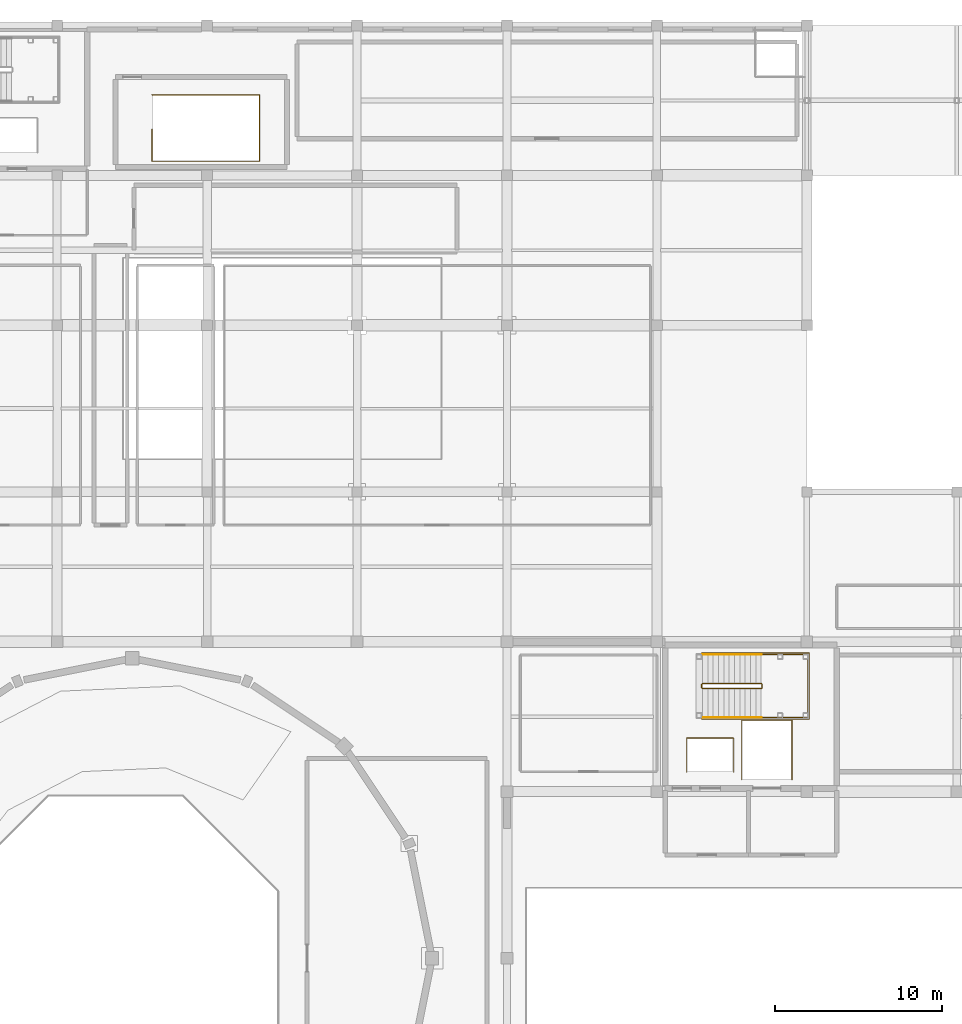
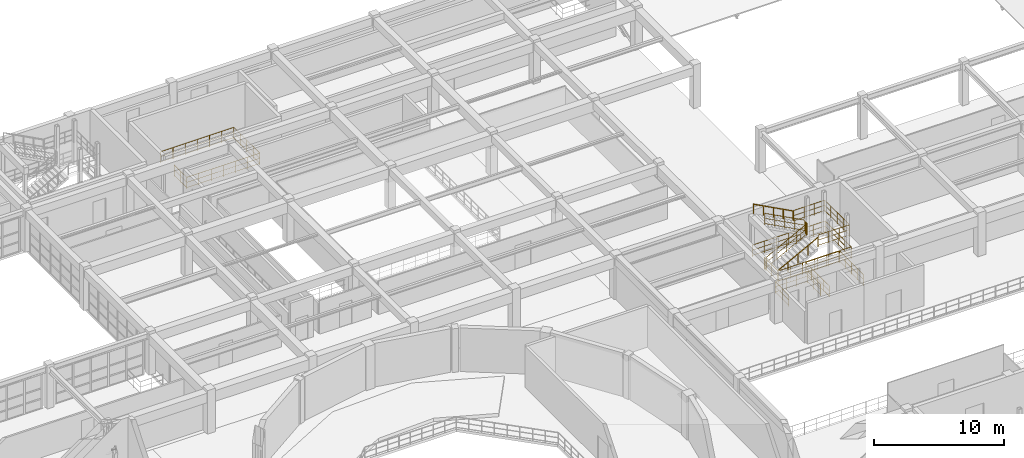
# One storey, part 109 of 110: 11 railings.
"""IFC4 building model written with IfcOpenShell, lengths in metres."""

from ifc_helpers import new_model, si_unit, direction, frame, origin, origin_2d, place, context, subcontext, project, spatial, circle, extrude, material, type_object, element, save


model = new_model("IFC4")

# Units and contexts
model_context = context("Model", 3, precision=1e-05, world=origin(), true_north=direction((0.0, 1.0)))
body_context = subcontext(model_context, "Body", "Model", "MODEL_VIEW")
ifc_project = project(units=[si_unit("LENGTHUNIT", "METRE"), si_unit("AREAUNIT", "SQUARE_METRE"), si_unit("VOLUMEUNIT", "CUBIC_METRE"), si_unit("PLANEANGLEUNIT", "RADIAN"), si_unit("MASSUNIT", "GRAM", prefix="KILO")], contexts=[model_context])

# Site, building, storey
site_placement = place(None, origin())
site = spatial("IfcSite", under=ifc_project, at=site_placement, CompositionType="ELEMENT")
building_placement = place(site_placement, origin())
building = spatial("IfcBuilding", under=site, at=building_placement, Name="Miravela Opera House", CompositionType="ELEMENT")
storey_placement = place(building_placement, frame((0.0, 0.0, 13.60009765625)))
storey = spatial("IfcBuildingStorey", under=building, at=storey_placement, Name="L03", CompositionType="ELEMENT", Elevation=13.60009765625)

# Railings
ifc_material_1 = material(Name="Brushed bronze continuous stair handrail")
railing_type_1 = type_object("IfcRailingType", Name="ARC-RAIL-HAND-900", PredefinedType="HANDRAIL", material=ifc_material_1)
railing_1_placement = place(storey_placement, frame((110.739990234375, 70.449951171875, 0.169921875)))
element("IfcRailing", 1, at=railing_1_placement, inside=storey, type_object=railing_type_1, Name="L03 ST-03 stair handrail 1", PredefinedType="HANDRAIL", context=body_context, shape_type="SweptSolid", body=[
    extrude(circle(Radius=0.02392578125, at=origin_2d()), frame((0.0, 0.0, 0.8759765625), z_axis=(0.883129994055, 0.0, 0.469128355144), x_axis=(0.0, 1.0, 0.0)), (0.0, 0.0, 1.0), 3.98583984375),
    extrude(circle(Radius=0.02099609375, at=origin_2d()), origin(), (0.0, 0.0, 1.0), 0.851806640625),
    extrude(circle(Radius=0.02099609375, at=origin_2d()), frame((0.8798828125, 0.0, 0.467529296875)), (0.0, 0.0, 1.0), 0.851806640625),
    extrude(circle(Radius=0.02099609375, at=origin_2d()), frame((1.760009765625, 0.0, 0.93505859375)), (0.0, 0.0, 1.0), 0.851806640625),
    extrude(circle(Radius=0.02099609375, at=origin_2d()), frame((2.64013671875, 0.0, 1.40234375)), (0.0, 0.0, 1.0), 0.851806640625),
    extrude(circle(Radius=0.02099609375, at=origin_2d()), frame((3.52001953125, 0.0, 1.869873046875)), (0.0, 0.0, 1.0), 0.851806640625),
])
railing_2_placement = place(storey_placement, frame((114.260009765625, 74.22998046875, 2.2099609375)))
element("IfcRailing", 2, at=railing_2_placement, inside=storey, type_object=railing_type_1, Name="L03 ST-03 stair handrail 2", PredefinedType="HANDRAIL", context=body_context, shape_type="SweptSolid", body=[
    extrude(circle(Radius=0.02392578125, at=origin_2d()), frame((0.0, 0.0, 0.8759765625), z_axis=(-0.883129994055, 0.0, 0.469128355144), x_axis=(0.0, -1.0, 0.0)), (0.0, 0.0, 1.0), 3.98583984375),
    extrude(circle(Radius=0.02099609375, at=origin_2d()), origin(), (0.0, 0.0, 1.0), 0.851806640625),
    extrude(circle(Radius=0.02099609375, at=origin_2d()), frame((-0.8798828125, 0.0, 0.467529296875)), (0.0, 0.0, 1.0), 0.851806640625),
    extrude(circle(Radius=0.02099609375, at=origin_2d()), frame((-1.760009765625, 0.0, 0.93505859375)), (0.0, 0.0, 1.0), 0.851806640625),
    extrude(circle(Radius=0.02099609375, at=origin_2d()), frame((-2.64013671875, 0.0, 1.40234375)), (0.0, 0.0, 1.0), 0.851806640625),
    extrude(circle(Radius=0.02099609375, at=origin_2d()), frame((-3.52001953125, 0.0, 1.869873046875)), (0.0, 0.0, 1.0), 0.851806640625),
])
ifc_material_2 = material(Name="Painted wrought-iron stair guardrail")
railing_type_2 = type_object("IfcRailingType", Name="ARC-RAIL-STAIR-GUARD", PredefinedType="GUARDRAIL", material=ifc_material_2)
railing_3_placement = place(storey_placement, frame((110.739990234375, 72.18994140625, 0.169921875)))
element("IfcRailing", 3, at=railing_3_placement, inside=storey, type_object=railing_type_2, Name="L03 ST-03 stair guard 1", PredefinedType="GUARDRAIL", context=body_context, shape_type="SweptSolid", body=[
    extrude(circle(Radius=0.02392578125, at=origin_2d()), frame((0.0, 0.0, 1.076171875), z_axis=(0.883129994055, 0.0, 0.469128355144), x_axis=(0.0, 1.0, 0.0)), (0.0, 0.0, 1.0), 3.98583984375),
    extrude(circle(Radius=0.01611328125, at=origin_2d()), frame((0.0, 0.0, 0.60498046875), z_axis=(0.883129994055, 0.0, 0.469128355144), x_axis=(0.0, 1.0, 0.0)), (0.0, 0.0, 1.0), 3.98583984375),
    extrude(circle(Radius=0.01611328125, at=origin_2d()), frame((0.0, 0.0, 0.1201171875), z_axis=(0.883129994055, 0.0, 0.469128355144), x_axis=(0.0, 1.0, 0.0)), (0.0, 0.0, 1.0), 3.98583984375),
    extrude(circle(Radius=0.02099609375, at=origin_2d()), origin(), (0.0, 0.0, 1.0), 1.052001953125),
    extrude(circle(Radius=0.02099609375, at=origin_2d()), frame((0.8798828125, 0.0, 0.467529296875)), (0.0, 0.0, 1.0), 1.052001953125),
    extrude(circle(Radius=0.02099609375, at=origin_2d()), frame((1.760009765625, 0.0, 0.93505859375)), (0.0, 0.0, 1.0), 1.052001953125),
    extrude(circle(Radius=0.02099609375, at=origin_2d()), frame((2.64013671875, 0.0, 1.40234375)), (0.0, 0.0, 1.0), 1.052001953125),
    extrude(circle(Radius=0.02099609375, at=origin_2d()), frame((3.52001953125, 0.0, 1.869873046875)), (0.0, 0.0, 1.0), 1.052001953125),
])
railing_4_placement = place(storey_placement, frame((114.31005859375, 72.239990234375, 2.039794921875)))
element("IfcRailing", 4, at=railing_4_placement, inside=storey, type_object=railing_type_2, Name="L03 ST-03 stair guard 2", PredefinedType="GUARDRAIL", context=body_context, shape_type="SweptSolid", body=[
    extrude(circle(Radius=0.02392578125, at=origin_2d()), frame((0.0, 0.0, 1.076171875), z_axis=(0.0, 1.0, 0.0), x_axis=(-1.0, 0.0, 0.0)), (0.0, 0.0, 1.0), 0.199951171875),
    extrude(circle(Radius=0.01611328125, at=origin_2d()), frame((0.0, 0.0, 0.60498046875), z_axis=(0.0, 1.0, 0.0), x_axis=(-1.0, 0.0, 0.0)), (0.0, 0.0, 1.0), 0.199951171875),
    extrude(circle(Radius=0.01611328125, at=origin_2d()), frame((0.0, 0.0, 0.1201171875), z_axis=(0.0, 1.0, 0.0), x_axis=(-1.0, 0.0, 0.0)), (0.0, 0.0, 1.0), 0.199951171875),
    extrude(circle(Radius=0.02099609375, at=origin_2d()), origin(), (0.0, 0.0, 1.0), 1.052001953125),
    extrude(circle(Radius=0.02099609375, at=origin_2d()), frame((0.0, 0.199951171875, 0.0)), (0.0, 0.0, 1.0), 1.052001953125),
])
railing_5_placement = place(storey_placement, frame((114.260009765625, 72.489990234375, 2.2099609375)))
element("IfcRailing", 5, at=railing_5_placement, inside=storey, type_object=railing_type_2, Name="L03 ST-03 stair guard 3", PredefinedType="GUARDRAIL", context=body_context, shape_type="SweptSolid", body=[
    extrude(circle(Radius=0.02392578125, at=origin_2d()), frame((0.0, 0.0, 1.076171875), z_axis=(-0.883129994055, 0.0, 0.469128355144), x_axis=(0.0, -1.0, 0.0)), (0.0, 0.0, 1.0), 3.98583984375),
    extrude(circle(Radius=0.01611328125, at=origin_2d()), frame((0.0, 0.0, 0.60498046875), z_axis=(-0.883129994055, 0.0, 0.469128355144), x_axis=(0.0, -1.0, 0.0)), (0.0, 0.0, 1.0), 3.98583984375),
    extrude(circle(Radius=0.01611328125, at=origin_2d()), frame((0.0, 0.0, 0.1201171875), z_axis=(-0.883129994055, 0.0, 0.469128355144), x_axis=(0.0, -1.0, 0.0)), (0.0, 0.0, 1.0), 3.98583984375),
    extrude(circle(Radius=0.02099609375, at=origin_2d()), origin(), (0.0, 0.0, 1.0), 1.052001953125),
    extrude(circle(Radius=0.02099609375, at=origin_2d()), frame((-0.8798828125, 0.0, 0.467529296875)), (0.0, 0.0, 1.0), 1.052001953125),
    extrude(circle(Radius=0.02099609375, at=origin_2d()), frame((-1.760009765625, 0.0, 0.93505859375)), (0.0, 0.0, 1.0), 1.052001953125),
    extrude(circle(Radius=0.02099609375, at=origin_2d()), frame((-2.64013671875, 0.0, 1.40234375)), (0.0, 0.0, 1.0), 1.052001953125),
    extrude(circle(Radius=0.02099609375, at=origin_2d()), frame((-3.52001953125, 0.0, 1.869873046875)), (0.0, 0.0, 1.0), 1.052001953125),
])
railing_6_placement = place(storey_placement, frame((110.68994140625, 72.239990234375, 0.0)))
element("IfcRailing", 6, at=railing_6_placement, inside=storey, type_object=railing_type_2, Name="L03 ST-03 stair guard 4", PredefinedType="GUARDRAIL", context=body_context, shape_type="SweptSolid", body=[
    extrude(circle(Radius=0.02392578125, at=origin_2d()), frame((0.0, 0.0, 1.076171875), z_axis=(0.0, 1.0, 0.0), x_axis=(-1.0, 0.0, 0.0)), (0.0, 0.0, 1.0), 0.199951171875),
    extrude(circle(Radius=0.01611328125, at=origin_2d()), frame((0.0, 0.0, 0.60498046875), z_axis=(0.0, 1.0, 0.0), x_axis=(-1.0, 0.0, 0.0)), (0.0, 0.0, 1.0), 0.199951171875),
    extrude(circle(Radius=0.01611328125, at=origin_2d()), frame((0.0, 0.0, 0.1201171875), z_axis=(0.0, 1.0, 0.0), x_axis=(-1.0, 0.0, 0.0)), (0.0, 0.0, 1.0), 0.199951171875),
    extrude(circle(Radius=0.02099609375, at=origin_2d()), origin(), (0.0, 0.0, 1.0), 1.052001953125),
    extrude(circle(Radius=0.02099609375, at=origin_2d()), frame((0.0, 0.199951171875, 0.0)), (0.0, 0.0, 1.0), 1.052001953125),
])
railing_7_placement = place(storey_placement, frame((114.31005859375, 70.449951171875, 2.039794921875)))
element("IfcRailing", 7, at=railing_7_placement, inside=storey, type_object=railing_type_2, Name="Stair ST-03 Half-Landing Perimeter Guard (L03) 0029", PredefinedType="GUARDRAIL", context=body_context, shape_type="SweptSolid", body=[
    extrude(circle(Radius=0.02392578125, at=origin_2d()), frame((0.0, 0.0, 1.076171875), z_axis=(1.0, 0.0, 0.0), x_axis=(0.0, 1.0, 0.0)), (0.0, 0.0, 1.0), 2.739990234375),
    extrude(circle(Radius=0.01611328125, at=origin_2d()), frame((0.0, 0.0, 0.60498046875), z_axis=(1.0, 0.0, 0.0), x_axis=(0.0, 1.0, 0.0)), (0.0, 0.0, 1.0), 2.739990234375),
    extrude(circle(Radius=0.01611328125, at=origin_2d()), frame((0.0, 0.0, 0.1201171875), z_axis=(1.0, 0.0, 0.0), x_axis=(0.0, 1.0, 0.0)), (0.0, 0.0, 1.0), 2.739990234375),
    extrude(circle(Radius=0.02392578125, at=origin_2d()), frame((2.739990234375, 0.0, 1.076171875), z_axis=(0.0, 1.0, 0.0), x_axis=(-1.0, 0.0, 0.0)), (0.0, 0.0, 1.0), 3.780029296875),
    extrude(circle(Radius=0.01611328125, at=origin_2d()), frame((2.739990234375, 0.0, 0.60498046875), z_axis=(0.0, 1.0, 0.0), x_axis=(-1.0, 0.0, 0.0)), (0.0, 0.0, 1.0), 3.780029296875),
    extrude(circle(Radius=0.01611328125, at=origin_2d()), frame((2.739990234375, 0.0, 0.1201171875), z_axis=(0.0, 1.0, 0.0), x_axis=(-1.0, 0.0, 0.0)), (0.0, 0.0, 1.0), 3.780029296875),
    extrude(circle(Radius=0.02392578125, at=origin_2d()), frame((2.739990234375, 3.780029296875, 1.076171875), z_axis=(-1.0, 0.0, 0.0), x_axis=(0.0, -1.0, 0.0)), (0.0, 0.0, 1.0), 2.739990234375),
    extrude(circle(Radius=0.01611328125, at=origin_2d()), frame((2.739990234375, 3.780029296875, 0.60498046875), z_axis=(-1.0, 0.0, 0.0), x_axis=(0.0, -1.0, 0.0)), (0.0, 0.0, 1.0), 2.739990234375),
    extrude(circle(Radius=0.01611328125, at=origin_2d()), frame((2.739990234375, 3.780029296875, 0.1201171875), z_axis=(-1.0, 0.0, 0.0), x_axis=(0.0, -1.0, 0.0)), (0.0, 0.0, 1.0), 2.739990234375),
    extrude(circle(Radius=0.02099609375, at=origin_2d()), origin(), (0.0, 0.0, 1.0), 1.052001953125),
    extrude(circle(Radius=0.02099609375, at=origin_2d()), frame((0.913330078125, 0.0, 0.0)), (0.0, 0.0, 1.0), 1.052001953125),
    extrude(circle(Radius=0.02099609375, at=origin_2d()), frame((1.82666015625, 0.0, 0.0)), (0.0, 0.0, 1.0), 1.052001953125),
    extrude(circle(Radius=0.02099609375, at=origin_2d()), frame((2.739990234375, 0.0, 0.0)), (0.0, 0.0, 1.0), 1.052001953125),
    extrude(circle(Radius=0.02099609375, at=origin_2d()), frame((2.739990234375, 0.945068359375, 0.0)), (0.0, 0.0, 1.0), 1.052001953125),
    extrude(circle(Radius=0.02099609375, at=origin_2d()), frame((2.739990234375, 1.89013671875, 0.0)), (0.0, 0.0, 1.0), 1.052001953125),
    extrude(circle(Radius=0.02099609375, at=origin_2d()), frame((2.739990234375, 2.8349609375, 0.0)), (0.0, 0.0, 1.0), 1.052001953125),
    extrude(circle(Radius=0.02099609375, at=origin_2d()), frame((2.739990234375, 3.780029296875, 0.0)), (0.0, 0.0, 1.0), 1.052001953125),
    extrude(circle(Radius=0.02099609375, at=origin_2d()), frame((1.82666015625, 3.780029296875, 0.0)), (0.0, 0.0, 1.0), 1.052001953125),
    extrude(circle(Radius=0.02099609375, at=origin_2d()), frame((0.913330078125, 3.780029296875, 0.0)), (0.0, 0.0, 1.0), 1.052001953125),
    extrude(circle(Radius=0.02099609375, at=origin_2d()), frame((0.0, 3.780029296875, 0.0)), (0.0, 0.0, 1.0), 1.052001953125),
])
railing_8_placement = place(storey_placement, frame((110.68994140625, 72.27001953125, 0.0)))
element("IfcRailing", 8, at=railing_8_placement, inside=storey, type_object=railing_type_2, Name="Stair ST-03 Well Slab Opening Guard (L03) 0034", PredefinedType="GUARDRAIL", context=body_context, shape_type="SweptSolid", body=[
    extrude(circle(Radius=0.02392578125, at=origin_2d()), frame((0.0, 0.0, 1.076171875), z_axis=(0.0, -1.0, 0.0), x_axis=(1.0, 0.0, 0.0)), (0.0, 0.0, 1.0), 1.919921875),
    extrude(circle(Radius=0.01611328125, at=origin_2d()), frame((0.0, 0.0, 0.60498046875), z_axis=(0.0, -1.0, 0.0), x_axis=(1.0, 0.0, 0.0)), (0.0, 0.0, 1.0), 1.919921875),
    extrude(circle(Radius=0.01611328125, at=origin_2d()), frame((0.0, 0.0, 0.1201171875), z_axis=(0.0, -1.0, 0.0), x_axis=(1.0, 0.0, 0.0)), (0.0, 0.0, 1.0), 1.919921875),
    extrude(circle(Radius=0.02392578125, at=origin_2d()), frame((0.0, -1.919921875, 1.076171875), z_axis=(1.0, 0.0, 0.0), x_axis=(0.0, 1.0, 0.0)), (0.0, 0.0, 1.0), 6.4599609375),
    extrude(circle(Radius=0.01611328125, at=origin_2d()), frame((0.0, -1.919921875, 0.60498046875), z_axis=(1.0, 0.0, 0.0), x_axis=(0.0, 1.0, 0.0)), (0.0, 0.0, 1.0), 6.4599609375),
    extrude(circle(Radius=0.01611328125, at=origin_2d()), frame((0.0, -1.919921875, 0.1201171875), z_axis=(1.0, 0.0, 0.0), x_axis=(0.0, 1.0, 0.0)), (0.0, 0.0, 1.0), 6.4599609375),
    extrude(circle(Radius=0.02392578125, at=origin_2d()), frame((6.4599609375, -1.919921875, 1.076171875), z_axis=(0.0, 1.0, 0.0), x_axis=(-1.0, 0.0, 0.0)), (0.0, 0.0, 1.0), 3.97998046875),
    extrude(circle(Radius=0.01611328125, at=origin_2d()), frame((6.4599609375, -1.919921875, 0.60498046875), z_axis=(0.0, 1.0, 0.0), x_axis=(-1.0, 0.0, 0.0)), (0.0, 0.0, 1.0), 3.97998046875),
    extrude(circle(Radius=0.01611328125, at=origin_2d()), frame((6.4599609375, -1.919921875, 0.1201171875), z_axis=(0.0, 1.0, 0.0), x_axis=(-1.0, 0.0, 0.0)), (0.0, 0.0, 1.0), 3.97998046875),
    extrude(circle(Radius=0.02392578125, at=origin_2d()), frame((6.4599609375, 2.06005859375, 1.076171875), z_axis=(-1.0, 0.0, 0.0), x_axis=(0.0, -1.0, 0.0)), (0.0, 0.0, 1.0), 6.4599609375),
    extrude(circle(Radius=0.01611328125, at=origin_2d()), frame((6.4599609375, 2.06005859375, 0.60498046875), z_axis=(-1.0, 0.0, 0.0), x_axis=(0.0, -1.0, 0.0)), (0.0, 0.0, 1.0), 6.4599609375),
    extrude(circle(Radius=0.01611328125, at=origin_2d()), frame((6.4599609375, 2.06005859375, 0.1201171875), z_axis=(-1.0, 0.0, 0.0), x_axis=(0.0, -1.0, 0.0)), (0.0, 0.0, 1.0), 6.4599609375),
    extrude(circle(Radius=0.02099609375, at=origin_2d()), origin(), (0.0, 0.0, 1.0), 1.052001953125),
    extrude(circle(Radius=0.02099609375, at=origin_2d()), frame((0.0, -0.9599609375, 0.0)), (0.0, 0.0, 1.0), 1.052001953125),
    extrude(circle(Radius=0.02099609375, at=origin_2d()), frame((0.0, -1.919921875, 0.0)), (0.0, 0.0, 1.0), 1.052001953125),
    extrude(circle(Radius=0.02099609375, at=origin_2d()), frame((1.07666015625, -1.919921875, 0.0)), (0.0, 0.0, 1.0), 1.052001953125),
    extrude(circle(Radius=0.02099609375, at=origin_2d()), frame((2.1533203125, -1.919921875, 0.0)), (0.0, 0.0, 1.0), 1.052001953125),
    extrude(circle(Radius=0.02099609375, at=origin_2d()), frame((3.22998046875, -1.919921875, 0.0)), (0.0, 0.0, 1.0), 1.052001953125),
    extrude(circle(Radius=0.02099609375, at=origin_2d()), frame((4.306640625, -1.919921875, 0.0)), (0.0, 0.0, 1.0), 1.052001953125),
    extrude(circle(Radius=0.02099609375, at=origin_2d()), frame((5.38330078125, -1.919921875, 0.0)), (0.0, 0.0, 1.0), 1.052001953125),
    extrude(circle(Radius=0.02099609375, at=origin_2d()), frame((6.4599609375, -1.919921875, 0.0)), (0.0, 0.0, 1.0), 1.052001953125),
    extrude(circle(Radius=0.02099609375, at=origin_2d()), frame((6.4599609375, -0.9248046875, 0.0)), (0.0, 0.0, 1.0), 1.052001953125),
    extrude(circle(Radius=0.02099609375, at=origin_2d()), frame((6.4599609375, 0.070068359375, 0.0)), (0.0, 0.0, 1.0), 1.052001953125),
    extrude(circle(Radius=0.02099609375, at=origin_2d()), frame((6.4599609375, 1.06494140625, 0.0)), (0.0, 0.0, 1.0), 1.052001953125),
    extrude(circle(Radius=0.02099609375, at=origin_2d()), frame((6.4599609375, 2.06005859375, 0.0)), (0.0, 0.0, 1.0), 1.052001953125),
    extrude(circle(Radius=0.02099609375, at=origin_2d()), frame((5.38330078125, 2.06005859375, 0.0)), (0.0, 0.0, 1.0), 1.052001953125),
    extrude(circle(Radius=0.02099609375, at=origin_2d()), frame((4.306640625, 2.06005859375, 0.0)), (0.0, 0.0, 1.0), 1.052001953125),
    extrude(circle(Radius=0.02099609375, at=origin_2d()), frame((3.22998046875, 2.06005859375, 0.0)), (0.0, 0.0, 1.0), 1.052001953125),
    extrude(circle(Radius=0.02099609375, at=origin_2d()), frame((2.1533203125, 2.06005859375, 0.0)), (0.0, 0.0, 1.0), 1.052001953125),
    extrude(circle(Radius=0.02099609375, at=origin_2d()), frame((1.07666015625, 2.06005859375, 0.0)), (0.0, 0.0, 1.0), 1.052001953125),
    extrude(circle(Radius=0.02099609375, at=origin_2d()), frame((0.0, 2.06005859375, 0.0)), (0.0, 0.0, 1.0), 1.052001953125),
])
railing_9_placement = place(storey_placement, frame((77.68994140625, 105.77001953125, 0.0)))
element("IfcRailing", 9, at=railing_9_placement, inside=storey, type_object=railing_type_2, Name="Stair ST-07 Well Slab Opening Guard (L03) 0074", PredefinedType="GUARDRAIL", context=body_context, shape_type="SweptSolid", body=[
    extrude(circle(Radius=0.02392578125, at=origin_2d()), frame((0.0, 0.0, 1.076171875), z_axis=(0.0, -1.0, 0.0), x_axis=(1.0, 0.0, 0.0)), (0.0, 0.0, 1.0), 1.919921875),
    extrude(circle(Radius=0.01611328125, at=origin_2d()), frame((0.0, 0.0, 0.60498046875), z_axis=(0.0, -1.0, 0.0), x_axis=(1.0, 0.0, 0.0)), (0.0, 0.0, 1.0), 1.919921875),
    extrude(circle(Radius=0.01611328125, at=origin_2d()), frame((0.0, 0.0, 0.1201171875), z_axis=(0.0, -1.0, 0.0), x_axis=(1.0, 0.0, 0.0)), (0.0, 0.0, 1.0), 1.919921875),
    extrude(circle(Radius=0.02392578125, at=origin_2d()), frame((0.0, -1.919921875, 1.076171875), z_axis=(1.0, 0.0, 0.0), x_axis=(0.0, 1.0, 0.0)), (0.0, 0.0, 1.0), 6.4599609375),
    extrude(circle(Radius=0.01611328125, at=origin_2d()), frame((0.0, -1.919921875, 0.60498046875), z_axis=(1.0, 0.0, 0.0), x_axis=(0.0, 1.0, 0.0)), (0.0, 0.0, 1.0), 6.4599609375),
    extrude(circle(Radius=0.01611328125, at=origin_2d()), frame((0.0, -1.919921875, 0.1201171875), z_axis=(1.0, 0.0, 0.0), x_axis=(0.0, 1.0, 0.0)), (0.0, 0.0, 1.0), 6.4599609375),
    extrude(circle(Radius=0.02392578125, at=origin_2d()), frame((6.4599609375, -1.919921875, 1.076171875), z_axis=(0.0, 1.0, 0.0), x_axis=(-1.0, 0.0, 0.0)), (0.0, 0.0, 1.0), 3.97998046875),
    extrude(circle(Radius=0.01611328125, at=origin_2d()), frame((6.4599609375, -1.919921875, 0.60498046875), z_axis=(0.0, 1.0, 0.0), x_axis=(-1.0, 0.0, 0.0)), (0.0, 0.0, 1.0), 3.97998046875),
    extrude(circle(Radius=0.01611328125, at=origin_2d()), frame((6.4599609375, -1.919921875, 0.1201171875), z_axis=(0.0, 1.0, 0.0), x_axis=(-1.0, 0.0, 0.0)), (0.0, 0.0, 1.0), 3.97998046875),
    extrude(circle(Radius=0.02392578125, at=origin_2d()), frame((6.4599609375, 2.06005859375, 1.076171875), z_axis=(-1.0, 0.0, 0.0), x_axis=(0.0, -1.0, 0.0)), (0.0, 0.0, 1.0), 6.4599609375),
    extrude(circle(Radius=0.01611328125, at=origin_2d()), frame((6.4599609375, 2.06005859375, 0.60498046875), z_axis=(-1.0, 0.0, 0.0), x_axis=(0.0, -1.0, 0.0)), (0.0, 0.0, 1.0), 6.4599609375),
    extrude(circle(Radius=0.01611328125, at=origin_2d()), frame((6.4599609375, 2.06005859375, 0.1201171875), z_axis=(-1.0, 0.0, 0.0), x_axis=(0.0, -1.0, 0.0)), (0.0, 0.0, 1.0), 6.4599609375),
    extrude(circle(Radius=0.02099609375, at=origin_2d()), origin(), (0.0, 0.0, 1.0), 1.052001953125),
    extrude(circle(Radius=0.02099609375, at=origin_2d()), frame((0.0, -0.9599609375, 0.0)), (0.0, 0.0, 1.0), 1.052001953125),
    extrude(circle(Radius=0.02099609375, at=origin_2d()), frame((0.0, -1.919921875, 0.0)), (0.0, 0.0, 1.0), 1.052001953125),
    extrude(circle(Radius=0.02099609375, at=origin_2d()), frame((1.07666015625, -1.919921875, 0.0)), (0.0, 0.0, 1.0), 1.052001953125),
    extrude(circle(Radius=0.02099609375, at=origin_2d()), frame((2.1533203125, -1.919921875, 0.0)), (0.0, 0.0, 1.0), 1.052001953125),
    extrude(circle(Radius=0.02099609375, at=origin_2d()), frame((3.22998046875, -1.919921875, 0.0)), (0.0, 0.0, 1.0), 1.052001953125),
    extrude(circle(Radius=0.02099609375, at=origin_2d()), frame((4.306640625, -1.919921875, 0.0)), (0.0, 0.0, 1.0), 1.052001953125),
    extrude(circle(Radius=0.02099609375, at=origin_2d()), frame((5.38330078125, -1.919921875, 0.0)), (0.0, 0.0, 1.0), 1.052001953125),
    extrude(circle(Radius=0.02099609375, at=origin_2d()), frame((6.4599609375, -1.919921875, 0.0)), (0.0, 0.0, 1.0), 1.052001953125),
    extrude(circle(Radius=0.02099609375, at=origin_2d()), frame((6.4599609375, -0.9248046875, 0.0)), (0.0, 0.0, 1.0), 1.052001953125),
    extrude(circle(Radius=0.02099609375, at=origin_2d()), frame((6.4599609375, 0.070068359375, 0.0)), (0.0, 0.0, 1.0), 1.052001953125),
    extrude(circle(Radius=0.02099609375, at=origin_2d()), frame((6.4599609375, 1.06494140625, 0.0)), (0.0, 0.0, 1.0), 1.052001953125),
    extrude(circle(Radius=0.02099609375, at=origin_2d()), frame((6.4599609375, 2.06005859375, 0.0)), (0.0, 0.0, 1.0), 1.052001953125),
    extrude(circle(Radius=0.02099609375, at=origin_2d()), frame((5.38330078125, 2.06005859375, 0.0)), (0.0, 0.0, 1.0), 1.052001953125),
    extrude(circle(Radius=0.02099609375, at=origin_2d()), frame((4.306640625, 2.06005859375, 0.0)), (0.0, 0.0, 1.0), 1.052001953125),
    extrude(circle(Radius=0.02099609375, at=origin_2d()), frame((3.22998046875, 2.06005859375, 0.0)), (0.0, 0.0, 1.0), 1.052001953125),
    extrude(circle(Radius=0.02099609375, at=origin_2d()), frame((2.1533203125, 2.06005859375, 0.0)), (0.0, 0.0, 1.0), 1.052001953125),
    extrude(circle(Radius=0.02099609375, at=origin_2d()), frame((1.07666015625, 2.06005859375, 0.0)), (0.0, 0.0, 1.0), 1.052001953125),
    extrude(circle(Radius=0.02099609375, at=origin_2d()), frame((0.0, 2.06005859375, 0.0)), (0.0, 0.0, 1.0), 1.052001953125),
])
railing_10_placement = place(storey_placement, frame((109.7900390625, 67.18505859375, 0.0)))
element("IfcRailing", 10, at=railing_10_placement, inside=storey, type_object=railing_type_2, Name="Lift FFL-02 Hoistway Slab Opening Guard (L03) 0120", PredefinedType="GUARDRAIL", context=body_context, shape_type="SweptSolid", body=[
    extrude(circle(Radius=0.02392578125, at=origin_2d()), frame((0.0, 0.0, 1.076171875), z_axis=(0.0, 1.0, 0.0), x_axis=(-1.0, 0.0, 0.0)), (0.0, 0.0, 1.0), 2.030029296875),
    extrude(circle(Radius=0.01611328125, at=origin_2d()), frame((0.0, 0.0, 0.60498046875), z_axis=(0.0, 1.0, 0.0), x_axis=(-1.0, 0.0, 0.0)), (0.0, 0.0, 1.0), 2.030029296875),
    extrude(circle(Radius=0.01611328125, at=origin_2d()), frame((0.0, 0.0, 0.1201171875), z_axis=(0.0, 1.0, 0.0), x_axis=(-1.0, 0.0, 0.0)), (0.0, 0.0, 1.0), 2.030029296875),
    extrude(circle(Radius=0.02392578125, at=origin_2d()), frame((0.0, 2.030029296875, 1.076171875), z_axis=(1.0, 0.0, 0.0), x_axis=(0.0, 1.0, 0.0)), (0.0, 0.0, 1.0), 2.820068359375),
    extrude(circle(Radius=0.01611328125, at=origin_2d()), frame((0.0, 2.030029296875, 0.60498046875), z_axis=(1.0, 0.0, 0.0), x_axis=(0.0, 1.0, 0.0)), (0.0, 0.0, 1.0), 2.820068359375),
    extrude(circle(Radius=0.01611328125, at=origin_2d()), frame((0.0, 2.030029296875, 0.1201171875), z_axis=(1.0, 0.0, 0.0), x_axis=(0.0, 1.0, 0.0)), (0.0, 0.0, 1.0), 2.820068359375),
    extrude(circle(Radius=0.02392578125, at=origin_2d()), frame((2.820068359375, 2.030029296875, 1.076171875), z_axis=(0.0, -1.0, 0.0), x_axis=(1.0, 0.0, 0.0)), (0.0, 0.0, 1.0), 2.030029296875),
    extrude(circle(Radius=0.01611328125, at=origin_2d()), frame((2.820068359375, 2.030029296875, 0.60498046875), z_axis=(0.0, -1.0, 0.0), x_axis=(1.0, 0.0, 0.0)), (0.0, 0.0, 1.0), 2.030029296875),
    extrude(circle(Radius=0.01611328125, at=origin_2d()), frame((2.820068359375, 2.030029296875, 0.1201171875), z_axis=(0.0, -1.0, 0.0), x_axis=(1.0, 0.0, 0.0)), (0.0, 0.0, 1.0), 2.030029296875),
    extrude(circle(Radius=0.02099609375, at=origin_2d()), origin(), (0.0, 0.0, 1.0), 1.052001953125),
    extrude(circle(Radius=0.02099609375, at=origin_2d()), frame((0.0, 1.01513671875, 0.0)), (0.0, 0.0, 1.0), 1.052001953125),
    extrude(circle(Radius=0.02099609375, at=origin_2d()), frame((0.0, 2.030029296875, 0.0)), (0.0, 0.0, 1.0), 1.052001953125),
    extrude(circle(Radius=0.02099609375, at=origin_2d()), frame((0.93994140625, 2.030029296875, 0.0)), (0.0, 0.0, 1.0), 1.052001953125),
    extrude(circle(Radius=0.02099609375, at=origin_2d()), frame((1.880126953125, 2.030029296875, 0.0)), (0.0, 0.0, 1.0), 1.052001953125),
    extrude(circle(Radius=0.02099609375, at=origin_2d()), frame((2.820068359375, 2.030029296875, 0.0)), (0.0, 0.0, 1.0), 1.052001953125),
    extrude(circle(Radius=0.02099609375, at=origin_2d()), frame((2.820068359375, 1.01513671875, 0.0)), (0.0, 0.0, 1.0), 1.052001953125),
    extrude(circle(Radius=0.02099609375, at=origin_2d()), frame((2.820068359375, 0.0, 0.0)), (0.0, 0.0, 1.0), 1.052001953125),
])
railing_11_placement = place(storey_placement, frame((113.090087890625, 66.7099609375, 0.0)))
element("IfcRailing", 11, at=railing_11_placement, inside=storey, type_object=railing_type_2, Name="Lift FL-01 Hoistway Slab Opening Guard (L03) 0126", PredefinedType="GUARDRAIL", context=body_context, shape_type="SweptSolid", body=[
    extrude(circle(Radius=0.02392578125, at=origin_2d()), frame((0.0, 0.0, 1.076171875), z_axis=(0.0, 1.0, 0.0), x_axis=(-1.0, 0.0, 0.0)), (0.0, 0.0, 1.0), 3.580078125),
    extrude(circle(Radius=0.01611328125, at=origin_2d()), frame((0.0, 0.0, 0.60498046875), z_axis=(0.0, 1.0, 0.0), x_axis=(-1.0, 0.0, 0.0)), (0.0, 0.0, 1.0), 3.580078125),
    extrude(circle(Radius=0.01611328125, at=origin_2d()), frame((0.0, 0.0, 0.1201171875), z_axis=(0.0, 1.0, 0.0), x_axis=(-1.0, 0.0, 0.0)), (0.0, 0.0, 1.0), 3.580078125),
    extrude(circle(Radius=0.02392578125, at=origin_2d()), frame((0.0, 3.580078125, 1.076171875), z_axis=(1.0, 0.0, 0.0), x_axis=(0.0, 1.0, 0.0)), (0.0, 0.0, 1.0), 3.02001953125),
    extrude(circle(Radius=0.01611328125, at=origin_2d()), frame((0.0, 3.580078125, 0.60498046875), z_axis=(1.0, 0.0, 0.0), x_axis=(0.0, 1.0, 0.0)), (0.0, 0.0, 1.0), 3.02001953125),
    extrude(circle(Radius=0.01611328125, at=origin_2d()), frame((0.0, 3.580078125, 0.1201171875), z_axis=(1.0, 0.0, 0.0), x_axis=(0.0, 1.0, 0.0)), (0.0, 0.0, 1.0), 3.02001953125),
    extrude(circle(Radius=0.02392578125, at=origin_2d()), frame((3.02001953125, 3.580078125, 1.076171875), z_axis=(0.0, -1.0, 0.0), x_axis=(1.0, 0.0, 0.0)), (0.0, 0.0, 1.0), 3.580078125),
    extrude(circle(Radius=0.01611328125, at=origin_2d()), frame((3.02001953125, 3.580078125, 0.60498046875), z_axis=(0.0, -1.0, 0.0), x_axis=(1.0, 0.0, 0.0)), (0.0, 0.0, 1.0), 3.580078125),
    extrude(circle(Radius=0.01611328125, at=origin_2d()), frame((3.02001953125, 3.580078125, 0.1201171875), z_axis=(0.0, -1.0, 0.0), x_axis=(1.0, 0.0, 0.0)), (0.0, 0.0, 1.0), 3.580078125),
    extrude(circle(Radius=0.02099609375, at=origin_2d()), origin(), (0.0, 0.0, 1.0), 1.052001953125),
    extrude(circle(Radius=0.02099609375, at=origin_2d()), frame((0.0, 0.89501953125, 0.0)), (0.0, 0.0, 1.0), 1.052001953125),
    extrude(circle(Radius=0.02099609375, at=origin_2d()), frame((0.0, 1.7900390625, 0.0)), (0.0, 0.0, 1.0), 1.052001953125),
    extrude(circle(Radius=0.02099609375, at=origin_2d()), frame((0.0, 2.68505859375, 0.0)), (0.0, 0.0, 1.0), 1.052001953125),
    extrude(circle(Radius=0.02099609375, at=origin_2d()), frame((0.0, 3.580078125, 0.0)), (0.0, 0.0, 1.0), 1.052001953125),
    extrude(circle(Radius=0.02099609375, at=origin_2d()), frame((1.006591796875, 3.580078125, 0.0)), (0.0, 0.0, 1.0), 1.052001953125),
    extrude(circle(Radius=0.02099609375, at=origin_2d()), frame((2.013427734375, 3.580078125, 0.0)), (0.0, 0.0, 1.0), 1.052001953125),
    extrude(circle(Radius=0.02099609375, at=origin_2d()), frame((3.02001953125, 3.580078125, 0.0)), (0.0, 0.0, 1.0), 1.052001953125),
    extrude(circle(Radius=0.02099609375, at=origin_2d()), frame((3.02001953125, 2.68505859375, 0.0)), (0.0, 0.0, 1.0), 1.052001953125),
    extrude(circle(Radius=0.02099609375, at=origin_2d()), frame((3.02001953125, 1.7900390625, 0.0)), (0.0, 0.0, 1.0), 1.052001953125),
    extrude(circle(Radius=0.02099609375, at=origin_2d()), frame((3.02001953125, 0.89501953125, 0.0)), (0.0, 0.0, 1.0), 1.052001953125),
    extrude(circle(Radius=0.02099609375, at=origin_2d()), frame((3.02001953125, 0.0, 0.0)), (0.0, 0.0, 1.0), 1.052001953125),
])

save(model, "model.ifc")
